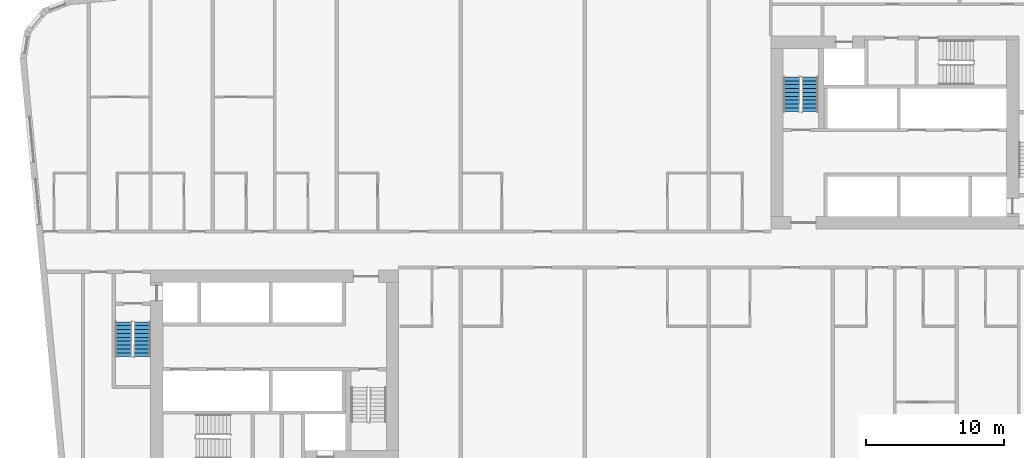
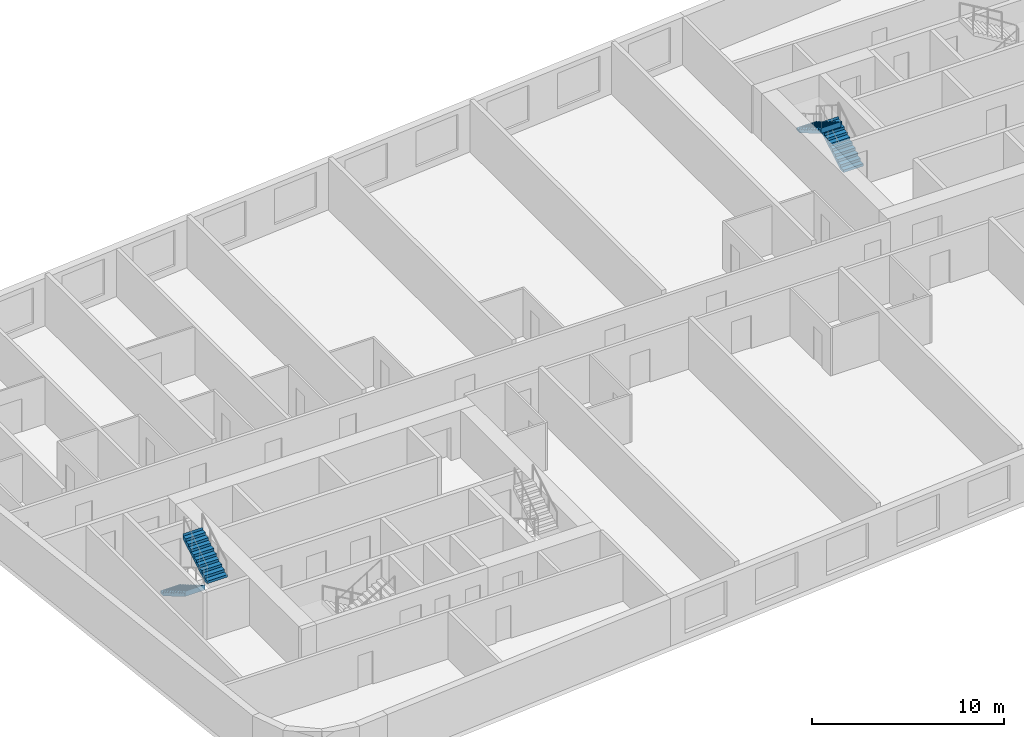
# One storey, part 10 of 12: 4 stair flights, 2 elements without a shape of their own.
"""IFC4 building model written with IfcOpenShell, lengths in metres."""

from ifc_helpers import new_model, si_unit, direction, frame, origin, place, context, subcontext, project, spatial, faceted_brep, material, type_object, element, aggregate, save


model = new_model("IFC4")

# Units and contexts
model_context = context("Model", 3, precision=1e-05, world=origin(), true_north=direction((0.0, 1.0)))
body_context = subcontext(model_context, "Body", "Model", "MODEL_VIEW")
ifc_project = project(units=[si_unit("LENGTHUNIT", "METRE"), si_unit("AREAUNIT", "SQUARE_METRE"), si_unit("VOLUMEUNIT", "CUBIC_METRE"), si_unit("PLANEANGLEUNIT", "RADIAN"), si_unit("MASSUNIT", "GRAM", prefix="KILO")], contexts=[model_context])

# Site, building, storey
site_placement = place(None, origin())
site = spatial("IfcSite", under=ifc_project, at=site_placement, CompositionType="ELEMENT")
building_placement = place(site_placement, origin())
building = spatial("IfcBuilding", under=site, at=building_placement, Name="Kajstack Hotel Tower", CompositionType="ELEMENT")
storey_placement = place(building_placement, frame((0.0, 0.0, 127.300048828125)))
storey = spatial("IfcBuildingStorey", under=building, at=storey_placement, Name="L28", CompositionType="ELEMENT", Elevation=127.300048828125)

# Stair, stair flights
ifc_material = material(Name="Concrete C40/50", Category="concrete")
stair_type = type_object("IfcStairType", Name="Exit stair 1200", PredefinedType="HALF_TURN_STAIR", material=ifc_material)
stair_1_placement = place(storey_placement, origin())
stair_1 = element("IfcStair", 1, at=stair_1_placement, inside=storey, type_object=stair_type, Name="L28 stair W1", PredefinedType="HALF_TURN_STAIR")
stair_flight_type = type_object("IfcStairFlightType", Name="Exit stair flight 1200", PredefinedType="STRAIGHT", material=ifc_material)
stair_flight_1_placement = place(storey_placement, frame((-33.449951171875, -5.25, 0.0), z_axis=(0.0, 0.0, 1.0), x_axis=(0.0, -1.0, 0.0)))
stair_flight_1 = element("IfcStairFlight", 2, at=stair_flight_1_placement, type_object=stair_flight_type, Name="W1 flight 1", NumberOfRisers=10, NumberOfTreads=9, PredefinedType="STRAIGHT", RiserHeight=0.165, TreadLength=0.28, context=body_context, shape_type="Brep", body=[
    faceted_brep([(0.295654296875, -0.60009765625, 0.0), (2.5205078125, -0.60009765625, 1.31103515625), (2.5205078125, -0.60009765625, 1.64990234375), (2.52001953125, -0.60009765625, 1.64990234375), (2.52001953125, -0.60009765625, 1.485107421875), (2.239990234375, -0.60009765625, 1.485107421875), (2.239990234375, -0.60009765625, 1.320068359375), (1.9599609375, -0.60009765625, 1.320068359375), (1.9599609375, -0.60009765625, 1.155029296875), (1.679931640625, -0.60009765625, 1.155029296875), (1.679931640625, -0.60009765625, 0.989990234375), (1.39990234375, -0.60009765625, 0.989990234375), (1.39990234375, -0.60009765625, 0.824951171875), (1.1201171875, -0.60009765625, 0.824951171875), (1.1201171875, -0.60009765625, 0.659912109375), (0.840087890625, -0.60009765625, 0.659912109375), (0.840087890625, -0.60009765625, 0.4951171875), (0.56005859375, -0.60009765625, 0.4951171875), (0.56005859375, -0.60009765625, 0.330078125), (0.280029296875, -0.60009765625, 0.330078125), (0.280029296875, -0.60009765625, 0.1650390625), (-0.00048828125, -0.60009765625, 0.1650390625), (-0.00048828125, -0.60009765625, 0.0), (-0.00048828125, 0.60009765625, 0.0), (-0.00048828125, 0.60009765625, 0.1650390625), (0.280029296875, 0.60009765625, 0.1650390625), (0.280029296875, 0.60009765625, 0.330078125), (0.56005859375, 0.60009765625, 0.330078125), (0.56005859375, 0.60009765625, 0.4951171875), (0.840087890625, 0.60009765625, 0.4951171875), (0.840087890625, 0.60009765625, 0.659912109375), (1.1201171875, 0.60009765625, 0.659912109375), (1.1201171875, 0.60009765625, 0.824951171875), (1.39990234375, 0.60009765625, 0.824951171875), (1.39990234375, 0.60009765625, 0.989990234375), (1.679931640625, 0.60009765625, 0.989990234375), (1.679931640625, 0.60009765625, 1.155029296875), (1.9599609375, 0.60009765625, 1.155029296875), (1.9599609375, 0.60009765625, 1.320068359375), (2.239990234375, 0.60009765625, 1.320068359375), (2.239990234375, 0.60009765625, 1.485107421875), (2.52001953125, 0.60009765625, 1.485107421875), (2.52001953125, 0.60009765625, 1.64990234375), (2.5205078125, 0.60009765625, 1.64990234375), (2.5205078125, 0.60009765625, 1.31103515625), (0.295654296875, 0.60009765625, 0.0), (-0.00048828125, -0.300048828125, 0.1650390625), (-0.00048828125, 0.0, 0.1650390625), (-0.00048828125, 0.300048828125, 0.1650390625), (-0.00048828125, 0.300048828125, 0.0), (-0.00048828125, 0.0, 0.0), (-0.00048828125, -0.300048828125, 0.0), (0.280029296875, -0.300048828125, 0.1650390625), (0.280029296875, 0.0, 0.1650390625), (0.280029296875, 0.300048828125, 0.1650390625), (0.280029296875, -0.300048828125, 0.330078125), (0.280029296875, 0.0, 0.330078125), (0.280029296875, 0.300048828125, 0.330078125), (0.56005859375, -0.300048828125, 0.330078125), (0.56005859375, 0.0, 0.330078125), (0.56005859375, 0.300048828125, 0.330078125), (0.56005859375, -0.300048828125, 0.4951171875), (0.56005859375, 0.0, 0.4951171875), (0.56005859375, 0.300048828125, 0.4951171875), (0.840087890625, -0.300048828125, 0.4951171875), (0.840087890625, 0.0, 0.4951171875), (0.840087890625, 0.300048828125, 0.4951171875), (0.840087890625, -0.300048828125, 0.659912109375), (0.840087890625, 0.0, 0.659912109375), (0.840087890625, 0.300048828125, 0.659912109375), (1.1201171875, -0.300048828125, 0.659912109375), (1.1201171875, 0.0, 0.659912109375), (1.1201171875, 0.300048828125, 0.659912109375), (1.1201171875, -0.300048828125, 0.824951171875), (1.1201171875, 0.0, 0.824951171875), (1.1201171875, 0.300048828125, 0.824951171875), (1.39990234375, -0.300048828125, 0.824951171875), (1.39990234375, 0.0, 0.824951171875), (1.39990234375, 0.300048828125, 0.824951171875), (1.39990234375, -0.300048828125, 0.989990234375), (1.39990234375, 0.0, 0.989990234375), (1.39990234375, 0.300048828125, 0.989990234375), (1.679931640625, -0.300048828125, 0.989990234375), (1.679931640625, 0.0, 0.989990234375), (1.679931640625, 0.300048828125, 0.989990234375), (1.679931640625, -0.300048828125, 1.155029296875), (1.679931640625, 0.0, 1.155029296875), (1.679931640625, 0.300048828125, 1.155029296875), (1.9599609375, -0.300048828125, 1.155029296875), (1.9599609375, 0.0, 1.155029296875), (1.9599609375, 0.300048828125, 1.155029296875), (1.9599609375, -0.300048828125, 1.320068359375), (1.9599609375, 0.0, 1.320068359375), (1.9599609375, 0.300048828125, 1.320068359375), (2.239990234375, -0.300048828125, 1.320068359375), (2.239990234375, 0.0, 1.320068359375), (2.239990234375, 0.300048828125, 1.320068359375), (2.239990234375, -0.300048828125, 1.485107421875), (2.239990234375, 0.0, 1.485107421875), (2.239990234375, 0.300048828125, 1.485107421875), (2.52001953125, -0.300048828125, 1.485107421875), (2.52001953125, 0.0, 1.485107421875), (2.52001953125, 0.300048828125, 1.485107421875), (2.52001953125, -0.300048828125, 1.64990234375), (2.52001953125, 0.0, 1.64990234375), (2.52001953125, 0.300048828125, 1.64990234375), (2.5205078125, -0.300048828125, 1.64990234375), (2.5205078125, 0.0, 1.64990234375), (2.5205078125, 0.300048828125, 1.64990234375), (2.5205078125, -0.300048828125, 1.31103515625), (2.5205078125, 0.0, 1.31103515625), (2.5205078125, 0.300048828125, 1.31103515625), (0.295654296875, -0.300048828125, 0.0), (0.295654296875, 0.0, 0.0), (0.295654296875, 0.300048828125, 0.0)], [[[0, 1, 2, 3, 4, 5, 6, 7, 8, 9, 10, 11, 12, 13, 14, 15, 16, 17, 18, 19, 20, 21, 22]], [[23, 24, 25, 26, 27, 28, 29, 30, 31, 32, 33, 34, 35, 36, 37, 38, 39, 40, 41, 42, 43, 44, 45]], [[21, 46, 47, 48, 24, 23, 49, 50, 51, 22]], [[20, 52, 53, 54, 25, 24, 48, 47, 46, 21]], [[19, 55, 56, 57, 26, 25, 54, 53, 52, 20]], [[18, 58, 59, 60, 27, 26, 57, 56, 55, 19]], [[17, 61, 62, 63, 28, 27, 60, 59, 58, 18]], [[16, 64, 65, 66, 29, 28, 63, 62, 61, 17]], [[15, 67, 68, 69, 30, 29, 66, 65, 64, 16]], [[14, 70, 71, 72, 31, 30, 69, 68, 67, 15]], [[13, 73, 74, 75, 32, 31, 72, 71, 70, 14]], [[12, 76, 77, 78, 33, 32, 75, 74, 73, 13]], [[11, 79, 80, 81, 34, 33, 78, 77, 76, 12]], [[10, 82, 83, 84, 35, 34, 81, 80, 79, 11]], [[9, 85, 86, 87, 36, 35, 84, 83, 82, 10]], [[8, 88, 89, 90, 37, 36, 87, 86, 85, 9]], [[7, 91, 92, 93, 38, 37, 90, 89, 88, 8]], [[6, 94, 95, 96, 39, 38, 93, 92, 91, 7]], [[5, 97, 98, 99, 40, 39, 96, 95, 94, 6]], [[4, 100, 101, 102, 41, 40, 99, 98, 97, 5]], [[3, 103, 104, 105, 42, 41, 102, 101, 100, 4]], [[2, 106, 107, 108, 43, 42, 105, 104, 103, 3]], [[1, 109, 110, 111, 44, 43, 108, 107, 106, 2]], [[0, 112, 113, 114, 45, 44, 111, 110, 109, 1]], [[22, 51, 50, 49, 23, 45, 114, 113, 112, 0]]]),
])
stair_flight_2_placement = place(storey_placement, frame((-32.10009765625, -7.77001953125, 1.64990234375), z_axis=(0.0, 0.0, 1.0), x_axis=(0.0, 1.0, 0.0)))
stair_flight_2 = element("IfcStairFlight", 3, at=stair_flight_2_placement, type_object=stair_flight_type, Name="W1 flight 2", NumberOfRisers=10, NumberOfTreads=9, PredefinedType="STRAIGHT", RiserHeight=0.165, TreadLength=0.28, context=body_context, shape_type="Brep", body=[
    faceted_brep([(0.295654296875, -0.60009765625, 0.0), (2.5205078125, -0.60009765625, 1.31103515625), (2.5205078125, -0.60009765625, 1.64990234375), (2.52001953125, -0.60009765625, 1.64990234375), (2.52001953125, -0.60009765625, 1.485107421875), (2.239990234375, -0.60009765625, 1.485107421875), (2.239990234375, -0.60009765625, 1.320068359375), (1.9599609375, -0.60009765625, 1.320068359375), (1.9599609375, -0.60009765625, 1.155029296875), (1.679931640625, -0.60009765625, 1.155029296875), (1.679931640625, -0.60009765625, 0.989990234375), (1.39990234375, -0.60009765625, 0.989990234375), (1.39990234375, -0.60009765625, 0.824951171875), (1.1201171875, -0.60009765625, 0.824951171875), (1.1201171875, -0.60009765625, 0.659912109375), (0.840087890625, -0.60009765625, 0.659912109375), (0.840087890625, -0.60009765625, 0.4951171875), (0.56005859375, -0.60009765625, 0.4951171875), (0.56005859375, -0.60009765625, 0.330078125), (0.280029296875, -0.60009765625, 0.330078125), (0.280029296875, -0.60009765625, 0.1650390625), (-0.00048828125, -0.60009765625, 0.1650390625), (-0.00048828125, -0.60009765625, 0.0), (-0.00048828125, 0.60009765625, 0.0), (-0.00048828125, 0.60009765625, 0.1650390625), (0.280029296875, 0.60009765625, 0.1650390625), (0.280029296875, 0.60009765625, 0.330078125), (0.56005859375, 0.60009765625, 0.330078125), (0.56005859375, 0.60009765625, 0.4951171875), (0.840087890625, 0.60009765625, 0.4951171875), (0.840087890625, 0.60009765625, 0.659912109375), (1.1201171875, 0.60009765625, 0.659912109375), (1.1201171875, 0.60009765625, 0.824951171875), (1.39990234375, 0.60009765625, 0.824951171875), (1.39990234375, 0.60009765625, 0.989990234375), (1.679931640625, 0.60009765625, 0.989990234375), (1.679931640625, 0.60009765625, 1.155029296875), (1.9599609375, 0.60009765625, 1.155029296875), (1.9599609375, 0.60009765625, 1.320068359375), (2.239990234375, 0.60009765625, 1.320068359375), (2.239990234375, 0.60009765625, 1.485107421875), (2.52001953125, 0.60009765625, 1.485107421875), (2.52001953125, 0.60009765625, 1.64990234375), (2.5205078125, 0.60009765625, 1.64990234375), (2.5205078125, 0.60009765625, 1.31103515625), (0.295654296875, 0.60009765625, 0.0), (-0.00048828125, -0.300048828125, 0.1650390625), (-0.00048828125, 0.0, 0.1650390625), (-0.00048828125, 0.300048828125, 0.1650390625), (-0.00048828125, 0.300048828125, 0.0), (-0.00048828125, 0.0, 0.0), (-0.00048828125, -0.300048828125, 0.0), (0.280029296875, -0.300048828125, 0.1650390625), (0.280029296875, 0.0, 0.1650390625), (0.280029296875, 0.300048828125, 0.1650390625), (0.280029296875, -0.300048828125, 0.330078125), (0.280029296875, 0.0, 0.330078125), (0.280029296875, 0.300048828125, 0.330078125), (0.56005859375, -0.300048828125, 0.330078125), (0.56005859375, 0.0, 0.330078125), (0.56005859375, 0.300048828125, 0.330078125), (0.56005859375, -0.300048828125, 0.4951171875), (0.56005859375, 0.0, 0.4951171875), (0.56005859375, 0.300048828125, 0.4951171875), (0.840087890625, -0.300048828125, 0.4951171875), (0.840087890625, 0.0, 0.4951171875), (0.840087890625, 0.300048828125, 0.4951171875), (0.840087890625, -0.300048828125, 0.659912109375), (0.840087890625, 0.0, 0.659912109375), (0.840087890625, 0.300048828125, 0.659912109375), (1.1201171875, -0.300048828125, 0.659912109375), (1.1201171875, 0.0, 0.659912109375), (1.1201171875, 0.300048828125, 0.659912109375), (1.1201171875, -0.300048828125, 0.824951171875), (1.1201171875, 0.0, 0.824951171875), (1.1201171875, 0.300048828125, 0.824951171875), (1.39990234375, -0.300048828125, 0.824951171875), (1.39990234375, 0.0, 0.824951171875), (1.39990234375, 0.300048828125, 0.824951171875), (1.39990234375, -0.300048828125, 0.989990234375), (1.39990234375, 0.0, 0.989990234375), (1.39990234375, 0.300048828125, 0.989990234375), (1.679931640625, -0.300048828125, 0.989990234375), (1.679931640625, 0.0, 0.989990234375), (1.679931640625, 0.300048828125, 0.989990234375), (1.679931640625, -0.300048828125, 1.155029296875), (1.679931640625, 0.0, 1.155029296875), (1.679931640625, 0.300048828125, 1.155029296875), (1.9599609375, -0.300048828125, 1.155029296875), (1.9599609375, 0.0, 1.155029296875), (1.9599609375, 0.300048828125, 1.155029296875), (1.9599609375, -0.300048828125, 1.320068359375), (1.9599609375, 0.0, 1.320068359375), (1.9599609375, 0.300048828125, 1.320068359375), (2.239990234375, -0.300048828125, 1.320068359375), (2.239990234375, 0.0, 1.320068359375), (2.239990234375, 0.300048828125, 1.320068359375), (2.239990234375, -0.300048828125, 1.485107421875), (2.239990234375, 0.0, 1.485107421875), (2.239990234375, 0.300048828125, 1.485107421875), (2.52001953125, -0.300048828125, 1.485107421875), (2.52001953125, 0.0, 1.485107421875), (2.52001953125, 0.300048828125, 1.485107421875), (2.52001953125, -0.300048828125, 1.64990234375), (2.52001953125, 0.0, 1.64990234375), (2.52001953125, 0.300048828125, 1.64990234375), (2.5205078125, -0.300048828125, 1.64990234375), (2.5205078125, 0.0, 1.64990234375), (2.5205078125, 0.300048828125, 1.64990234375), (2.5205078125, -0.300048828125, 1.31103515625), (2.5205078125, 0.0, 1.31103515625), (2.5205078125, 0.300048828125, 1.31103515625), (0.295654296875, -0.300048828125, 0.0), (0.295654296875, 0.0, 0.0), (0.295654296875, 0.300048828125, 0.0)], [[[0, 1, 2, 3, 4, 5, 6, 7, 8, 9, 10, 11, 12, 13, 14, 15, 16, 17, 18, 19, 20, 21, 22]], [[23, 24, 25, 26, 27, 28, 29, 30, 31, 32, 33, 34, 35, 36, 37, 38, 39, 40, 41, 42, 43, 44, 45]], [[21, 46, 47, 48, 24, 23, 49, 50, 51, 22]], [[20, 52, 53, 54, 25, 24, 48, 47, 46, 21]], [[19, 55, 56, 57, 26, 25, 54, 53, 52, 20]], [[18, 58, 59, 60, 27, 26, 57, 56, 55, 19]], [[17, 61, 62, 63, 28, 27, 60, 59, 58, 18]], [[16, 64, 65, 66, 29, 28, 63, 62, 61, 17]], [[15, 67, 68, 69, 30, 29, 66, 65, 64, 16]], [[14, 70, 71, 72, 31, 30, 69, 68, 67, 15]], [[13, 73, 74, 75, 32, 31, 72, 71, 70, 14]], [[12, 76, 77, 78, 33, 32, 75, 74, 73, 13]], [[11, 79, 80, 81, 34, 33, 78, 77, 76, 12]], [[10, 82, 83, 84, 35, 34, 81, 80, 79, 11]], [[9, 85, 86, 87, 36, 35, 84, 83, 82, 10]], [[8, 88, 89, 90, 37, 36, 87, 86, 85, 9]], [[7, 91, 92, 93, 38, 37, 90, 89, 88, 8]], [[6, 94, 95, 96, 39, 38, 93, 92, 91, 7]], [[5, 97, 98, 99, 40, 39, 96, 95, 94, 6]], [[4, 100, 101, 102, 41, 40, 99, 98, 97, 5]], [[3, 103, 104, 105, 42, 41, 102, 101, 100, 4]], [[2, 106, 107, 108, 43, 42, 105, 104, 103, 3]], [[1, 109, 110, 111, 44, 43, 108, 107, 106, 2]], [[0, 112, 113, 114, 45, 44, 111, 110, 109, 1]], [[22, 51, 50, 49, 23, 45, 114, 113, 112, 0]]]),
])
aggregate(stair_1, [stair_flight_1, stair_flight_2])

stair_2_placement = place(storey_placement, origin())
stair_2 = element("IfcStair", 4, at=stair_2_placement, inside=storey, type_object=stair_type, Name="L28 stair E2", PredefinedType="HALF_TURN_STAIR")
stair_flight_3_placement = place(storey_placement, frame((16.35009765625, 10.0, 0.0), z_axis=(0.0, 0.0, 1.0), x_axis=(0.0, 1.0, 0.0)))
stair_flight_3 = element("IfcStairFlight", 5, at=stair_flight_3_placement, type_object=stair_flight_type, Name="E2 flight 1", NumberOfRisers=10, NumberOfTreads=9, PredefinedType="STRAIGHT", RiserHeight=0.165, TreadLength=0.28, context=body_context, shape_type="Brep", body=[
    faceted_brep([(0.295654296875, -0.60009765625, 0.0), (2.5205078125, -0.60009765625, 1.31103515625), (2.5205078125, -0.60009765625, 1.64990234375), (2.52001953125, -0.60009765625, 1.64990234375), (2.52001953125, -0.60009765625, 1.485107421875), (2.239990234375, -0.60009765625, 1.485107421875), (2.239990234375, -0.60009765625, 1.320068359375), (1.9599609375, -0.60009765625, 1.320068359375), (1.9599609375, -0.60009765625, 1.155029296875), (1.679931640625, -0.60009765625, 1.155029296875), (1.679931640625, -0.60009765625, 0.989990234375), (1.39990234375, -0.60009765625, 0.989990234375), (1.39990234375, -0.60009765625, 0.824951171875), (1.1201171875, -0.60009765625, 0.824951171875), (1.1201171875, -0.60009765625, 0.659912109375), (0.840087890625, -0.60009765625, 0.659912109375), (0.840087890625, -0.60009765625, 0.4951171875), (0.56005859375, -0.60009765625, 0.4951171875), (0.56005859375, -0.60009765625, 0.330078125), (0.280029296875, -0.60009765625, 0.330078125), (0.280029296875, -0.60009765625, 0.1650390625), (-0.00048828125, -0.60009765625, 0.1650390625), (-0.00048828125, -0.60009765625, 0.0), (-0.00048828125, 0.60009765625, 0.0), (-0.00048828125, 0.60009765625, 0.1650390625), (0.280029296875, 0.60009765625, 0.1650390625), (0.280029296875, 0.60009765625, 0.330078125), (0.56005859375, 0.60009765625, 0.330078125), (0.56005859375, 0.60009765625, 0.4951171875), (0.840087890625, 0.60009765625, 0.4951171875), (0.840087890625, 0.60009765625, 0.659912109375), (1.1201171875, 0.60009765625, 0.659912109375), (1.1201171875, 0.60009765625, 0.824951171875), (1.39990234375, 0.60009765625, 0.824951171875), (1.39990234375, 0.60009765625, 0.989990234375), (1.679931640625, 0.60009765625, 0.989990234375), (1.679931640625, 0.60009765625, 1.155029296875), (1.9599609375, 0.60009765625, 1.155029296875), (1.9599609375, 0.60009765625, 1.320068359375), (2.239990234375, 0.60009765625, 1.320068359375), (2.239990234375, 0.60009765625, 1.485107421875), (2.52001953125, 0.60009765625, 1.485107421875), (2.52001953125, 0.60009765625, 1.64990234375), (2.5205078125, 0.60009765625, 1.64990234375), (2.5205078125, 0.60009765625, 1.31103515625), (0.295654296875, 0.60009765625, 0.0), (-0.00048828125, -0.300048828125, 0.1650390625), (-0.00048828125, 0.0, 0.1650390625), (-0.00048828125, 0.300048828125, 0.1650390625), (-0.00048828125, 0.300048828125, 0.0), (-0.00048828125, 0.0, 0.0), (-0.00048828125, -0.300048828125, 0.0), (0.280029296875, -0.300048828125, 0.1650390625), (0.280029296875, 0.0, 0.1650390625), (0.280029296875, 0.300048828125, 0.1650390625), (0.280029296875, -0.300048828125, 0.330078125), (0.280029296875, 0.0, 0.330078125), (0.280029296875, 0.300048828125, 0.330078125), (0.56005859375, -0.300048828125, 0.330078125), (0.56005859375, 0.0, 0.330078125), (0.56005859375, 0.300048828125, 0.330078125), (0.56005859375, -0.300048828125, 0.4951171875), (0.56005859375, 0.0, 0.4951171875), (0.56005859375, 0.300048828125, 0.4951171875), (0.840087890625, -0.300048828125, 0.4951171875), (0.840087890625, 0.0, 0.4951171875), (0.840087890625, 0.300048828125, 0.4951171875), (0.840087890625, -0.300048828125, 0.659912109375), (0.840087890625, 0.0, 0.659912109375), (0.840087890625, 0.300048828125, 0.659912109375), (1.1201171875, -0.300048828125, 0.659912109375), (1.1201171875, 0.0, 0.659912109375), (1.1201171875, 0.300048828125, 0.659912109375), (1.1201171875, -0.300048828125, 0.824951171875), (1.1201171875, 0.0, 0.824951171875), (1.1201171875, 0.300048828125, 0.824951171875), (1.39990234375, -0.300048828125, 0.824951171875), (1.39990234375, 0.0, 0.824951171875), (1.39990234375, 0.300048828125, 0.824951171875), (1.39990234375, -0.300048828125, 0.989990234375), (1.39990234375, 0.0, 0.989990234375), (1.39990234375, 0.300048828125, 0.989990234375), (1.679931640625, -0.300048828125, 0.989990234375), (1.679931640625, 0.0, 0.989990234375), (1.679931640625, 0.300048828125, 0.989990234375), (1.679931640625, -0.300048828125, 1.155029296875), (1.679931640625, 0.0, 1.155029296875), (1.679931640625, 0.300048828125, 1.155029296875), (1.9599609375, -0.300048828125, 1.155029296875), (1.9599609375, 0.0, 1.155029296875), (1.9599609375, 0.300048828125, 1.155029296875), (1.9599609375, -0.300048828125, 1.320068359375), (1.9599609375, 0.0, 1.320068359375), (1.9599609375, 0.300048828125, 1.320068359375), (2.239990234375, -0.300048828125, 1.320068359375), (2.239990234375, 0.0, 1.320068359375), (2.239990234375, 0.300048828125, 1.320068359375), (2.239990234375, -0.300048828125, 1.485107421875), (2.239990234375, 0.0, 1.485107421875), (2.239990234375, 0.300048828125, 1.485107421875), (2.52001953125, -0.300048828125, 1.485107421875), (2.52001953125, 0.0, 1.485107421875), (2.52001953125, 0.300048828125, 1.485107421875), (2.52001953125, -0.300048828125, 1.64990234375), (2.52001953125, 0.0, 1.64990234375), (2.52001953125, 0.300048828125, 1.64990234375), (2.5205078125, -0.300048828125, 1.64990234375), (2.5205078125, 0.0, 1.64990234375), (2.5205078125, 0.300048828125, 1.64990234375), (2.5205078125, -0.300048828125, 1.31103515625), (2.5205078125, 0.0, 1.31103515625), (2.5205078125, 0.300048828125, 1.31103515625), (0.295654296875, -0.300048828125, 0.0), (0.295654296875, 0.0, 0.0), (0.295654296875, 0.300048828125, 0.0)], [[[0, 1, 2, 3, 4, 5, 6, 7, 8, 9, 10, 11, 12, 13, 14, 15, 16, 17, 18, 19, 20, 21, 22]], [[23, 24, 25, 26, 27, 28, 29, 30, 31, 32, 33, 34, 35, 36, 37, 38, 39, 40, 41, 42, 43, 44, 45]], [[21, 46, 47, 48, 24, 23, 49, 50, 51, 22]], [[20, 52, 53, 54, 25, 24, 48, 47, 46, 21]], [[19, 55, 56, 57, 26, 25, 54, 53, 52, 20]], [[18, 58, 59, 60, 27, 26, 57, 56, 55, 19]], [[17, 61, 62, 63, 28, 27, 60, 59, 58, 18]], [[16, 64, 65, 66, 29, 28, 63, 62, 61, 17]], [[15, 67, 68, 69, 30, 29, 66, 65, 64, 16]], [[14, 70, 71, 72, 31, 30, 69, 68, 67, 15]], [[13, 73, 74, 75, 32, 31, 72, 71, 70, 14]], [[12, 76, 77, 78, 33, 32, 75, 74, 73, 13]], [[11, 79, 80, 81, 34, 33, 78, 77, 76, 12]], [[10, 82, 83, 84, 35, 34, 81, 80, 79, 11]], [[9, 85, 86, 87, 36, 35, 84, 83, 82, 10]], [[8, 88, 89, 90, 37, 36, 87, 86, 85, 9]], [[7, 91, 92, 93, 38, 37, 90, 89, 88, 8]], [[6, 94, 95, 96, 39, 38, 93, 92, 91, 7]], [[5, 97, 98, 99, 40, 39, 96, 95, 94, 6]], [[4, 100, 101, 102, 41, 40, 99, 98, 97, 5]], [[3, 103, 104, 105, 42, 41, 102, 101, 100, 4]], [[2, 106, 107, 108, 43, 42, 105, 104, 103, 3]], [[1, 109, 110, 111, 44, 43, 108, 107, 106, 2]], [[0, 112, 113, 114, 45, 44, 111, 110, 109, 1]], [[22, 51, 50, 49, 23, 45, 114, 113, 112, 0]]]),
])
stair_flight_4_placement = place(storey_placement, frame((15.0, 12.52001953125, 1.64990234375), z_axis=(0.0, 0.0, 1.0), x_axis=(0.0, -1.0, 0.0)))
stair_flight_4 = element("IfcStairFlight", 6, at=stair_flight_4_placement, type_object=stair_flight_type, Name="E2 flight 2", NumberOfRisers=10, NumberOfTreads=9, PredefinedType="STRAIGHT", RiserHeight=0.165, TreadLength=0.28, context=body_context, shape_type="Brep", body=[
    faceted_brep([(0.295654296875, -0.60009765625, 0.0), (2.5205078125, -0.60009765625, 1.31103515625), (2.5205078125, -0.60009765625, 1.64990234375), (2.52001953125, -0.60009765625, 1.64990234375), (2.52001953125, -0.60009765625, 1.485107421875), (2.239990234375, -0.60009765625, 1.485107421875), (2.239990234375, -0.60009765625, 1.320068359375), (1.9599609375, -0.60009765625, 1.320068359375), (1.9599609375, -0.60009765625, 1.155029296875), (1.679931640625, -0.60009765625, 1.155029296875), (1.679931640625, -0.60009765625, 0.989990234375), (1.39990234375, -0.60009765625, 0.989990234375), (1.39990234375, -0.60009765625, 0.824951171875), (1.1201171875, -0.60009765625, 0.824951171875), (1.1201171875, -0.60009765625, 0.659912109375), (0.840087890625, -0.60009765625, 0.659912109375), (0.840087890625, -0.60009765625, 0.4951171875), (0.56005859375, -0.60009765625, 0.4951171875), (0.56005859375, -0.60009765625, 0.330078125), (0.280029296875, -0.60009765625, 0.330078125), (0.280029296875, -0.60009765625, 0.1650390625), (-0.00048828125, -0.60009765625, 0.1650390625), (-0.00048828125, -0.60009765625, 0.0), (-0.00048828125, 0.60009765625, 0.0), (-0.00048828125, 0.60009765625, 0.1650390625), (0.280029296875, 0.60009765625, 0.1650390625), (0.280029296875, 0.60009765625, 0.330078125), (0.56005859375, 0.60009765625, 0.330078125), (0.56005859375, 0.60009765625, 0.4951171875), (0.840087890625, 0.60009765625, 0.4951171875), (0.840087890625, 0.60009765625, 0.659912109375), (1.1201171875, 0.60009765625, 0.659912109375), (1.1201171875, 0.60009765625, 0.824951171875), (1.39990234375, 0.60009765625, 0.824951171875), (1.39990234375, 0.60009765625, 0.989990234375), (1.679931640625, 0.60009765625, 0.989990234375), (1.679931640625, 0.60009765625, 1.155029296875), (1.9599609375, 0.60009765625, 1.155029296875), (1.9599609375, 0.60009765625, 1.320068359375), (2.239990234375, 0.60009765625, 1.320068359375), (2.239990234375, 0.60009765625, 1.485107421875), (2.52001953125, 0.60009765625, 1.485107421875), (2.52001953125, 0.60009765625, 1.64990234375), (2.5205078125, 0.60009765625, 1.64990234375), (2.5205078125, 0.60009765625, 1.31103515625), (0.295654296875, 0.60009765625, 0.0), (-0.00048828125, -0.300048828125, 0.1650390625), (-0.00048828125, 0.0, 0.1650390625), (-0.00048828125, 0.300048828125, 0.1650390625), (-0.00048828125, 0.300048828125, 0.0), (-0.00048828125, 0.0, 0.0), (-0.00048828125, -0.300048828125, 0.0), (0.280029296875, -0.300048828125, 0.1650390625), (0.280029296875, 0.0, 0.1650390625), (0.280029296875, 0.300048828125, 0.1650390625), (0.280029296875, -0.300048828125, 0.330078125), (0.280029296875, 0.0, 0.330078125), (0.280029296875, 0.300048828125, 0.330078125), (0.56005859375, -0.300048828125, 0.330078125), (0.56005859375, 0.0, 0.330078125), (0.56005859375, 0.300048828125, 0.330078125), (0.56005859375, -0.300048828125, 0.4951171875), (0.56005859375, 0.0, 0.4951171875), (0.56005859375, 0.300048828125, 0.4951171875), (0.840087890625, -0.300048828125, 0.4951171875), (0.840087890625, 0.0, 0.4951171875), (0.840087890625, 0.300048828125, 0.4951171875), (0.840087890625, -0.300048828125, 0.659912109375), (0.840087890625, 0.0, 0.659912109375), (0.840087890625, 0.300048828125, 0.659912109375), (1.1201171875, -0.300048828125, 0.659912109375), (1.1201171875, 0.0, 0.659912109375), (1.1201171875, 0.300048828125, 0.659912109375), (1.1201171875, -0.300048828125, 0.824951171875), (1.1201171875, 0.0, 0.824951171875), (1.1201171875, 0.300048828125, 0.824951171875), (1.39990234375, -0.300048828125, 0.824951171875), (1.39990234375, 0.0, 0.824951171875), (1.39990234375, 0.300048828125, 0.824951171875), (1.39990234375, -0.300048828125, 0.989990234375), (1.39990234375, 0.0, 0.989990234375), (1.39990234375, 0.300048828125, 0.989990234375), (1.679931640625, -0.300048828125, 0.989990234375), (1.679931640625, 0.0, 0.989990234375), (1.679931640625, 0.300048828125, 0.989990234375), (1.679931640625, -0.300048828125, 1.155029296875), (1.679931640625, 0.0, 1.155029296875), (1.679931640625, 0.300048828125, 1.155029296875), (1.9599609375, -0.300048828125, 1.155029296875), (1.9599609375, 0.0, 1.155029296875), (1.9599609375, 0.300048828125, 1.155029296875), (1.9599609375, -0.300048828125, 1.320068359375), (1.9599609375, 0.0, 1.320068359375), (1.9599609375, 0.300048828125, 1.320068359375), (2.239990234375, -0.300048828125, 1.320068359375), (2.239990234375, 0.0, 1.320068359375), (2.239990234375, 0.300048828125, 1.320068359375), (2.239990234375, -0.300048828125, 1.485107421875), (2.239990234375, 0.0, 1.485107421875), (2.239990234375, 0.300048828125, 1.485107421875), (2.52001953125, -0.300048828125, 1.485107421875), (2.52001953125, 0.0, 1.485107421875), (2.52001953125, 0.300048828125, 1.485107421875), (2.52001953125, -0.300048828125, 1.64990234375), (2.52001953125, 0.0, 1.64990234375), (2.52001953125, 0.300048828125, 1.64990234375), (2.5205078125, -0.300048828125, 1.64990234375), (2.5205078125, 0.0, 1.64990234375), (2.5205078125, 0.300048828125, 1.64990234375), (2.5205078125, -0.300048828125, 1.31103515625), (2.5205078125, 0.0, 1.31103515625), (2.5205078125, 0.300048828125, 1.31103515625), (0.295654296875, -0.300048828125, 0.0), (0.295654296875, 0.0, 0.0), (0.295654296875, 0.300048828125, 0.0)], [[[0, 1, 2, 3, 4, 5, 6, 7, 8, 9, 10, 11, 12, 13, 14, 15, 16, 17, 18, 19, 20, 21, 22]], [[23, 24, 25, 26, 27, 28, 29, 30, 31, 32, 33, 34, 35, 36, 37, 38, 39, 40, 41, 42, 43, 44, 45]], [[21, 46, 47, 48, 24, 23, 49, 50, 51, 22]], [[20, 52, 53, 54, 25, 24, 48, 47, 46, 21]], [[19, 55, 56, 57, 26, 25, 54, 53, 52, 20]], [[18, 58, 59, 60, 27, 26, 57, 56, 55, 19]], [[17, 61, 62, 63, 28, 27, 60, 59, 58, 18]], [[16, 64, 65, 66, 29, 28, 63, 62, 61, 17]], [[15, 67, 68, 69, 30, 29, 66, 65, 64, 16]], [[14, 70, 71, 72, 31, 30, 69, 68, 67, 15]], [[13, 73, 74, 75, 32, 31, 72, 71, 70, 14]], [[12, 76, 77, 78, 33, 32, 75, 74, 73, 13]], [[11, 79, 80, 81, 34, 33, 78, 77, 76, 12]], [[10, 82, 83, 84, 35, 34, 81, 80, 79, 11]], [[9, 85, 86, 87, 36, 35, 84, 83, 82, 10]], [[8, 88, 89, 90, 37, 36, 87, 86, 85, 9]], [[7, 91, 92, 93, 38, 37, 90, 89, 88, 8]], [[6, 94, 95, 96, 39, 38, 93, 92, 91, 7]], [[5, 97, 98, 99, 40, 39, 96, 95, 94, 6]], [[4, 100, 101, 102, 41, 40, 99, 98, 97, 5]], [[3, 103, 104, 105, 42, 41, 102, 101, 100, 4]], [[2, 106, 107, 108, 43, 42, 105, 104, 103, 3]], [[1, 109, 110, 111, 44, 43, 108, 107, 106, 2]], [[0, 112, 113, 114, 45, 44, 111, 110, 109, 1]], [[22, 51, 50, 49, 23, 45, 114, 113, 112, 0]]]),
])
aggregate(stair_2, [stair_flight_3, stair_flight_4])

save(model, "model.ifc")
